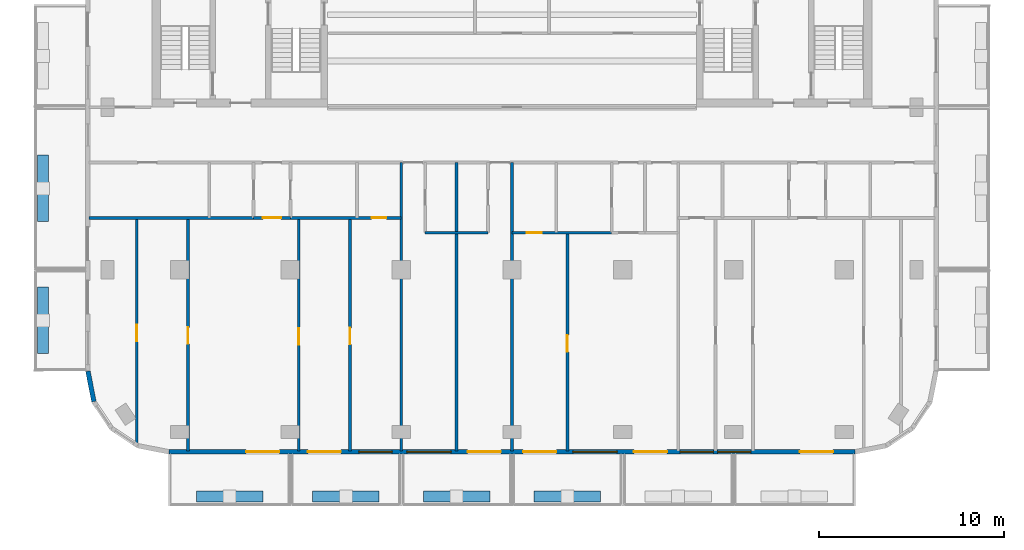
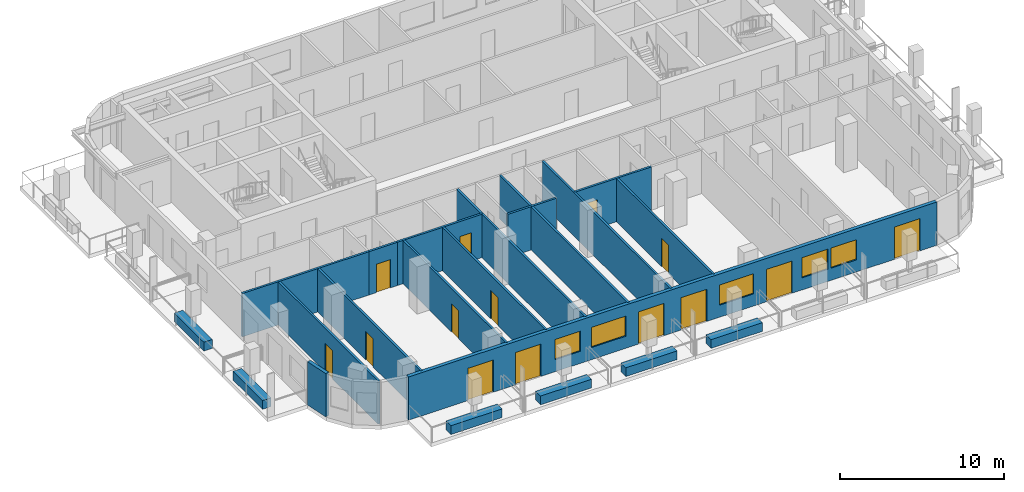
# One storey, part 2 of 11: 21 walls, 14 doors, 5 windows, 19 openings.
"""IFC4 building model written with IfcOpenShell, lengths in metres."""

from ifc_helpers import new_model, si_unit, direction, frame, frame_2d, origin, place, context, subcontext, project, spatial, rectangle, extrude, material, layer, layer_set, type_object, element, fill, save


model = new_model("IFC4")

# Units and contexts
model_context = context("Model", 3, precision=1e-05, world=origin(), true_north=direction((0.0, 1.0)))
body_context = subcontext(model_context, "Body", "Model", "MODEL_VIEW")
ifc_project = project(units=[si_unit("LENGTHUNIT", "METRE"), si_unit("AREAUNIT", "SQUARE_METRE"), si_unit("VOLUMEUNIT", "CUBIC_METRE"), si_unit("PLANEANGLEUNIT", "RADIAN"), si_unit("MASSUNIT", "GRAM", prefix="KILO")], contexts=[model_context])

# Site, building, storey
site_placement = place(None, origin())
site = spatial("IfcSite", under=ifc_project, at=site_placement, CompositionType="ELEMENT")
building_placement = place(site_placement, origin())
building = spatial("IfcBuilding", under=site, at=building_placement, Name="Torana Hotel and Residences", CompositionType="ELEMENT")
storey_placement = place(building_placement, frame((0.0, 0.0, 298.10009765625)))
storey = spatial("IfcBuildingStorey", under=building, at=storey_placement, Name="L79", CompositionType="ELEMENT", Elevation=298.10009765625)

# Wall
ifc_material_1 = material(Name="Black aluminium composite panel", Category="aluminium")
ifc_layer_1 = layer(ifc_material_1, 0.00390625, Name="Cladding", Category="cladding")
ifc_material_2 = material(Name="Ventilated air cavity")
ifc_layer_2 = layer(ifc_material_2, 0.0400390625, Name="Ventilated cavity", Category="cavity")
ifc_material_3 = material(Name="Mineral wool insulation")
ifc_layer_3 = layer(ifc_material_3, 0.090087890625, Name="Insulation", Category="insulation")
ifc_material_4 = material(Name="Steel S280GD", Category="steel")
ifc_layer_4 = layer(ifc_material_4, 0.092041015625, Name="Steel stud frame", Category="structure")
ifc_material_5 = material(Name="Fire rated plasterboard")
ifc_layer_5 = layer(ifc_material_5, 0.011962890625, Name="Inner board", Category="finish")
ifc_layer_6 = layer(ifc_material_5, 0.011962890625, Name="Second board", Category="finish")
ifc_layer_set_1 = layer_set([ifc_layer_1, ifc_layer_2, ifc_layer_3, ifc_layer_4, ifc_layer_5, ifc_layer_6], Name="EW1 EXTERNAL WALL BLACK METAL CLAD 250")
wall_type_1 = type_object("IfcWallType", Name="EW1 EXTERNAL WALL BLACK METAL CLAD 250", PredefinedType="SOLIDWALL", material=ifc_layer_set_1)
wall_1_placement = place(storey_placement, frame((-22.97265625, -29.2998046875, 0.0), z_axis=(0.0, 0.0, 1.0), x_axis=(0.19513878023, -0.980775640221, 0.0)))
element("IfcWall", 1, at=wall_1_placement, inside=storey, type_object=wall_type_1, Name="External wall L79 e0.10", PredefinedType="SOLIDWALL", context=body_context, shape_type="SweptSolid", body=[
    extrude(rectangle(XDim=1.681396484375, YDim=0.25, at=frame_2d((0.8408203125, 0.0))), origin(), (0.0, 0.0, 1.0), 3.219970703125),
])

# Wall, openings, doors, windows
wall_2_placement = place(storey_placement, frame((-18.575439453125, -33.675048828125, 0.0), z_axis=(0.0, 0.0, 1.0), x_axis=(1.0, 0.0, 0.0)))
wall_2 = element("IfcWall", 2, at=wall_2_placement, inside=storey, type_object=wall_type_1, Name="External wall L79 e0.14", PredefinedType="SOLIDWALL", context=body_context, shape_type="SweptSolid", body=[
    extrude(rectangle(XDim=37.15087890625, YDim=0.25, at=frame_2d((18.575439453125, 0.0))), origin(), (0.0, 0.0, 1.0), 3.219970703125),
])
opening_1_placement = place(wall_2_placement, frame((4.17529296875, 0.0, 0.0)))
opening_1 = element("IfcOpeningElement", 3, at=opening_1_placement, cuts=wall_2, Name="Opening L79-E01", PredefinedType="OPENING", context=body_context, shape_type="SweptSolid", body=[
    extrude(rectangle(XDim=1.800048828125, YDim=2.39990234375, at=frame_2d((0.89990234375, 1.199951171875))), frame((0.0, 0.135009765625, 0.0), z_axis=(0.0, -1.0, 0.0), x_axis=(1.0, 0.0, 0.0)), (0.0, 0.0, 1.0), 0.27001953125),
])
opening_2_placement = place(wall_2_placement, frame((7.512451171875, 0.0, 0.0)))
opening_2 = element("IfcOpeningElement", 4, at=opening_2_placement, cuts=wall_2, Name="Opening L79-E02", PredefinedType="OPENING", context=body_context, shape_type="SweptSolid", body=[
    extrude(rectangle(XDim=1.800048828125, YDim=2.39990234375, at=frame_2d((0.89990234375, 1.199951171875))), frame((0.0, 0.135009765625, 0.0), z_axis=(0.0, -1.0, 0.0), x_axis=(1.0, 0.0, 0.0)), (0.0, 0.0, 1.0), 0.27001953125),
])
opening_3_placement = place(wall_2_placement, frame((10.287353515625, 0.0, 0.89990234375)))
opening_3 = element("IfcOpeningElement", 5, at=opening_3_placement, cuts=wall_2, Name="Opening W4", PredefinedType="OPENING", context=body_context, shape_type="SweptSolid", body=[
    extrude(rectangle(XDim=1.800048828125, YDim=1.5, at=frame_2d((0.89990234375, 0.75))), frame((0.0, 0.135009765625, 0.0), z_axis=(0.0, -1.0, 0.0), x_axis=(1.0, 0.0, 0.0)), (0.0, 0.0, 1.0), 0.27001953125),
])
opening_4_placement = place(wall_2_placement, frame((12.87548828125, 0.0, 0.89990234375)))
opening_4 = element("IfcOpeningElement", 6, at=opening_4_placement, cuts=wall_2, Name="Opening W3", PredefinedType="OPENING", context=body_context, shape_type="SweptSolid", body=[
    extrude(rectangle(XDim=2.39990234375, YDim=1.5, at=frame_2d((1.199951171875, 0.75))), frame((0.0, 0.135009765625, 0.0), z_axis=(0.0, -1.0, 0.0), x_axis=(1.0, 0.0, 0.0)), (0.0, 0.0, 1.0), 0.27001953125),
])
opening_5_placement = place(wall_2_placement, frame((16.17529296875, 0.0, 0.0)))
opening_5 = element("IfcOpeningElement", 7, at=opening_5_placement, cuts=wall_2, Name="Opening L79-E03", PredefinedType="OPENING", context=body_context, shape_type="SweptSolid", body=[
    extrude(rectangle(XDim=1.800048828125, YDim=2.39990234375, at=frame_2d((0.89990234375, 1.199951171875))), frame((0.0, 0.135009765625, 0.0), z_axis=(0.0, -1.0, 0.0), x_axis=(1.0, 0.0, 0.0)), (0.0, 0.0, 1.0), 0.27001953125),
])
opening_6_placement = place(wall_2_placement, frame((19.17529296875, 0.0, 0.0)))
opening_6 = element("IfcOpeningElement", 8, at=opening_6_placement, cuts=wall_2, Name="Opening L79-E04", PredefinedType="OPENING", context=body_context, shape_type="SweptSolid", body=[
    extrude(rectangle(XDim=1.800048828125, YDim=2.39990234375, at=frame_2d((0.89990234375, 1.199951171875))), frame((0.0, 0.135009765625, 0.0), z_axis=(0.0, -1.0, 0.0), x_axis=(1.0, 0.0, 0.0)), (0.0, 0.0, 1.0), 0.27001953125),
])
opening_7_placement = place(wall_2_placement, frame((21.87548828125, 0.0, 0.89990234375)))
opening_7 = element("IfcOpeningElement", 9, at=opening_7_placement, cuts=wall_2, Name="Opening W3", PredefinedType="OPENING", context=body_context, shape_type="SweptSolid", body=[
    extrude(rectangle(XDim=2.39990234375, YDim=1.5, at=frame_2d((1.199951171875, 0.75))), frame((0.0, 0.135009765625, 0.0), z_axis=(0.0, -1.0, 0.0), x_axis=(1.0, 0.0, 0.0)), (0.0, 0.0, 1.0), 0.27001953125),
])
opening_8_placement = place(wall_2_placement, frame((25.17529296875, 0.0, 0.0)))
opening_8 = element("IfcOpeningElement", 10, at=opening_8_placement, cuts=wall_2, Name="Opening L79-E05", PredefinedType="OPENING", context=body_context, shape_type="SweptSolid", body=[
    extrude(rectangle(XDim=1.800048828125, YDim=2.39990234375, at=frame_2d((0.89990234375, 1.199951171875))), frame((0.0, 0.135009765625, 0.0), z_axis=(0.0, -1.0, 0.0), x_axis=(1.0, 0.0, 0.0)), (0.0, 0.0, 1.0), 0.27001953125),
])
opening_9_placement = place(wall_2_placement, frame((27.6875, 0.0, 0.89990234375)))
opening_9 = element("IfcOpeningElement", 11, at=opening_9_placement, cuts=wall_2, Name="Opening W4", PredefinedType="OPENING", context=body_context, shape_type="SweptSolid", body=[
    extrude(rectangle(XDim=1.800048828125, YDim=1.5, at=frame_2d((0.89990234375, 0.75))), frame((0.0, 0.135009765625, 0.0), z_axis=(0.0, -1.0, 0.0), x_axis=(1.0, 0.0, 0.0)), (0.0, 0.0, 1.0), 0.27001953125),
])
opening_10_placement = place(wall_2_placement, frame((29.71337890625, 0.0, 0.89990234375)))
opening_10 = element("IfcOpeningElement", 12, at=opening_10_placement, cuts=wall_2, Name="Opening W4", PredefinedType="OPENING", context=body_context, shape_type="SweptSolid", body=[
    extrude(rectangle(XDim=1.800048828125, YDim=1.5, at=frame_2d((0.89990234375, 0.75))), frame((0.0, 0.135009765625, 0.0), z_axis=(0.0, -1.0, 0.0), x_axis=(1.0, 0.0, 0.0)), (0.0, 0.0, 1.0), 0.27001953125),
])
opening_11_placement = place(wall_2_placement, frame((34.17529296875, 0.0, 0.0)))
opening_11 = element("IfcOpeningElement", 13, at=opening_11_placement, cuts=wall_2, Name="Opening L79-E06", PredefinedType="OPENING", context=body_context, shape_type="SweptSolid", body=[
    extrude(rectangle(XDim=1.800048828125, YDim=2.39990234375, at=frame_2d((0.89990234375, 1.199951171875))), frame((0.0, 0.135009765625, 0.0), z_axis=(0.0, -1.0, 0.0), x_axis=(1.0, 0.0, 0.0)), (0.0, 0.0, 1.0), 0.27001953125),
])
ifc_material_6 = material(Name="Dark glass in black aluminium frame", Category="aluminium")
door_type_1 = type_object("IfcDoorType", Name="DB1 BALCONY DOOR 1800x2400", OperationType="DOUBLE_DOOR_SINGLE_SWING", PredefinedType="DOOR", material=ifc_material_6)
door_1_placement = place(opening_1_placement, origin())
door_1 = element("IfcDoor", 14, at=door_1_placement, inside=storey, type_object=door_type_1, Name="Balcony door L79", OperationType="DOUBLE_DOOR_SINGLE_SWING", OverallHeight=2.39990234375, OverallWidth=1.800048828125, PredefinedType="DOOR", context=body_context, shape_type="SweptSolid", body=[
    extrude(rectangle(XDim=1.800048828125, YDim=2.39990234375, at=frame_2d((0.89990234375, 1.199951171875))), frame((0.0, 0.02490234375, 0.0), z_axis=(0.0, -1.0, 0.0), x_axis=(1.0, 0.0, 0.0)), (0.0, 0.0, 1.0), 0.050048828125),
])
fill(opening_1, door_1)
door_2_placement = place(opening_2_placement, origin())
door_2 = element("IfcDoor", 15, at=door_2_placement, inside=storey, type_object=door_type_1, Name="Balcony door L79", OperationType="DOUBLE_DOOR_SINGLE_SWING", OverallHeight=2.39990234375, OverallWidth=1.800048828125, PredefinedType="DOOR", context=body_context, shape_type="SweptSolid", body=[
    extrude(rectangle(XDim=1.800048828125, YDim=2.39990234375, at=frame_2d((0.89990234375, 1.199951171875))), frame((0.0, 0.02490234375, 0.0), z_axis=(0.0, -1.0, 0.0), x_axis=(1.0, 0.0, 0.0)), (0.0, 0.0, 1.0), 0.050048828125),
])
fill(opening_2, door_2)
door_3_placement = place(opening_5_placement, origin())
door_3 = element("IfcDoor", 16, at=door_3_placement, inside=storey, type_object=door_type_1, Name="Balcony door L79", OperationType="DOUBLE_DOOR_SINGLE_SWING", OverallHeight=2.39990234375, OverallWidth=1.800048828125, PredefinedType="DOOR", context=body_context, shape_type="SweptSolid", body=[
    extrude(rectangle(XDim=1.800048828125, YDim=2.39990234375, at=frame_2d((0.89990234375, 1.199951171875))), frame((0.0, 0.02490234375, 0.0), z_axis=(0.0, -1.0, 0.0), x_axis=(1.0, 0.0, 0.0)), (0.0, 0.0, 1.0), 0.050048828125),
])
fill(opening_5, door_3)
door_4_placement = place(opening_6_placement, origin())
door_4 = element("IfcDoor", 17, at=door_4_placement, inside=storey, type_object=door_type_1, Name="Balcony door L79", OperationType="DOUBLE_DOOR_SINGLE_SWING", OverallHeight=2.39990234375, OverallWidth=1.800048828125, PredefinedType="DOOR", context=body_context, shape_type="SweptSolid", body=[
    extrude(rectangle(XDim=1.800048828125, YDim=2.39990234375, at=frame_2d((0.89990234375, 1.199951171875))), frame((0.0, 0.02490234375, 0.0), z_axis=(0.0, -1.0, 0.0), x_axis=(1.0, 0.0, 0.0)), (0.0, 0.0, 1.0), 0.050048828125),
])
fill(opening_6, door_4)
door_5_placement = place(opening_8_placement, origin())
door_5 = element("IfcDoor", 18, at=door_5_placement, inside=storey, type_object=door_type_1, Name="Balcony door L79", OperationType="DOUBLE_DOOR_SINGLE_SWING", OverallHeight=2.39990234375, OverallWidth=1.800048828125, PredefinedType="DOOR", context=body_context, shape_type="SweptSolid", body=[
    extrude(rectangle(XDim=1.800048828125, YDim=2.39990234375, at=frame_2d((0.89990234375, 1.199951171875))), frame((0.0, 0.02490234375, 0.0), z_axis=(0.0, -1.0, 0.0), x_axis=(1.0, 0.0, 0.0)), (0.0, 0.0, 1.0), 0.050048828125),
])
fill(opening_8, door_5)
door_6_placement = place(opening_11_placement, origin())
door_6 = element("IfcDoor", 19, at=door_6_placement, inside=storey, type_object=door_type_1, Name="Balcony door L79", OperationType="DOUBLE_DOOR_SINGLE_SWING", OverallHeight=2.39990234375, OverallWidth=1.800048828125, PredefinedType="DOOR", context=body_context, shape_type="SweptSolid", body=[
    extrude(rectangle(XDim=1.800048828125, YDim=2.39990234375, at=frame_2d((0.89990234375, 1.199951171875))), frame((0.0, 0.02490234375, 0.0), z_axis=(0.0, -1.0, 0.0), x_axis=(1.0, 0.0, 0.0)), (0.0, 0.0, 1.0), 0.050048828125),
])
fill(opening_11, door_6)
ifc_material_7 = material(Name="Dark glass in black aluminium frame", Category="aluminium")
window_type_1 = type_object("IfcWindowType", Name="W3 RESIDENCE WINDOW 2400x1500", PartitioningType="SINGLE_PANEL", PredefinedType="WINDOW", material=ifc_material_7)
window_1_placement = place(opening_4_placement, origin())
window_1 = element("IfcWindow", 20, at=window_1_placement, inside=storey, type_object=window_type_1, Name="Window L79", OverallHeight=1.5, OverallWidth=2.39990234375, PartitioningType="SINGLE_PANEL", PredefinedType="WINDOW", context=body_context, shape_type="SweptSolid", body=[
    extrude(rectangle(XDim=2.39990234375, YDim=1.5, at=frame_2d((1.199951171875, 0.75))), frame((0.0, 0.030029296875, 0.0), z_axis=(0.0, -1.0, 0.0), x_axis=(1.0, 0.0, 0.0)), (0.0, 0.0, 1.0), 0.06005859375),
])
fill(opening_4, window_1)
window_2_placement = place(opening_7_placement, origin())
window_2 = element("IfcWindow", 21, at=window_2_placement, inside=storey, type_object=window_type_1, Name="Window L79", OverallHeight=1.5, OverallWidth=2.39990234375, PartitioningType="SINGLE_PANEL", PredefinedType="WINDOW", context=body_context, shape_type="SweptSolid", body=[
    extrude(rectangle(XDim=2.39990234375, YDim=1.5, at=frame_2d((1.199951171875, 0.75))), frame((0.0, 0.030029296875, 0.0), z_axis=(0.0, -1.0, 0.0), x_axis=(1.0, 0.0, 0.0)), (0.0, 0.0, 1.0), 0.06005859375),
])
fill(opening_7, window_2)
ifc_material_8 = material(Name="Dark glass in black aluminium frame", Category="aluminium")
window_type_2 = type_object("IfcWindowType", Name="W4 RESIDENCE WINDOW NARROW 1800x1500", PartitioningType="SINGLE_PANEL", PredefinedType="WINDOW", material=ifc_material_8)
window_3_placement = place(opening_3_placement, origin())
window_3 = element("IfcWindow", 22, at=window_3_placement, inside=storey, type_object=window_type_2, Name="Window L79", OverallHeight=1.5, OverallWidth=1.800048828125, PartitioningType="SINGLE_PANEL", PredefinedType="WINDOW", context=body_context, shape_type="SweptSolid", body=[
    extrude(rectangle(XDim=1.800048828125, YDim=1.5, at=frame_2d((0.89990234375, 0.75))), frame((0.0, 0.030029296875, 0.0), z_axis=(0.0, -1.0, 0.0), x_axis=(1.0, 0.0, 0.0)), (0.0, 0.0, 1.0), 0.06005859375),
])
fill(opening_3, window_3)
window_4_placement = place(opening_9_placement, origin())
window_4 = element("IfcWindow", 23, at=window_4_placement, inside=storey, type_object=window_type_2, Name="Window L79", OverallHeight=1.5, OverallWidth=1.800048828125, PartitioningType="SINGLE_PANEL", PredefinedType="WINDOW", context=body_context, shape_type="SweptSolid", body=[
    extrude(rectangle(XDim=1.800048828125, YDim=1.5, at=frame_2d((0.89990234375, 0.75))), frame((0.0, 0.030029296875, 0.0), z_axis=(0.0, -1.0, 0.0), x_axis=(1.0, 0.0, 0.0)), (0.0, 0.0, 1.0), 0.06005859375),
])
fill(opening_9, window_4)
window_5_placement = place(opening_10_placement, origin())
window_5 = element("IfcWindow", 24, at=window_5_placement, inside=storey, type_object=window_type_2, Name="Window L79", OverallHeight=1.5, OverallWidth=1.800048828125, PartitioningType="SINGLE_PANEL", PredefinedType="WINDOW", context=body_context, shape_type="SweptSolid", body=[
    extrude(rectangle(XDim=1.800048828125, YDim=1.5, at=frame_2d((0.89990234375, 0.75))), frame((0.0, 0.030029296875, 0.0), z_axis=(0.0, -1.0, 0.0), x_axis=(1.0, 0.0, 0.0)), (0.0, 0.0, 1.0), 0.06005859375),
])
fill(opening_10, window_5)

# Wall, opening, door
ifc_material_9 = material(Name="Gypsum plaster")
ifc_layer_7 = layer(ifc_material_9, 0.014892578125, Name="Plaster", Category="finish")
ifc_material_10 = material(Name="Concrete blockwork", Category="masonry")
ifc_layer_8 = layer(ifc_material_10, 0.1201171875, Name="Blockwork", Category="structure")
ifc_layer_9 = layer(ifc_material_9, 0.014892578125, Name="Plaster", Category="finish")
ifc_layer_set_2 = layer_set([ifc_layer_7, ifc_layer_8, ifc_layer_9], Name="FIRE PARTITION 150 BLOCKWORK")
wall_type_2 = type_object("IfcWallType", Name="FIRE PARTITION 150 BLOCKWORK", PredefinedType="PARTITIONING", material=ifc_layer_set_2)
wall_3_placement = place(storey_placement, frame((-14.0, -21.0, 0.0), z_axis=(0.0, 0.0, 1.0), x_axis=(1.0, 0.0, 0.0)))
wall_3 = element("IfcWall", 25, at=wall_3_placement, inside=storey, type_object=wall_type_2, Name="Partition L79", PredefinedType="PARTITIONING", context=body_context, shape_type="SweptSolid", body=[
    extrude(rectangle(XDim=2.0, YDim=0.14990234375, at=frame_2d((1.0, 0.0))), origin(), (0.0, 0.0, 1.0), 3.219970703125),
])
opening_12_placement = place(wall_3_placement, frame((0.5, 0.0, 0.0)))
opening_12 = element("IfcOpeningElement", 26, at=opening_12_placement, cuts=wall_3, Name="Opening L79-47", PredefinedType="OPENING", context=body_context, shape_type="SweptSolid", body=[
    extrude(rectangle(XDim=1.0, YDim=2.10009765625, at=frame_2d((0.5, 1.050048828125))), frame((0.0, 0.0849609375, 0.0), z_axis=(0.0, -1.0, 0.0), x_axis=(1.0, 0.0, 0.0)), (0.0, 0.0, 1.0), 0.169921875),
])
ifc_material_11 = material(Name="Steel S235", Category="steel")
door_type_2 = type_object("IfcDoorType", Name="ENTRY FIRE DOOR D6 1000x2100", OperationType="SINGLE_SWING_LEFT", PredefinedType="DOOR", material=ifc_material_11)
door_7_placement = place(opening_12_placement, frame((0.5, 0.0, 0.0), z_axis=(0.0, 0.0, 1.0), x_axis=(-1.0, 0.0, 0.0)))
door_7 = element("IfcDoor", 27, at=door_7_placement, inside=storey, type_object=door_type_2, Name="Door L79", OperationType="SINGLE_SWING_RIGHT", OverallHeight=2.10009765625, OverallWidth=1.0, PredefinedType="DOOR", context=body_context, shape_type="SweptSolid", body=[
    extrude(rectangle(XDim=1.0, YDim=2.10009765625, at=frame_2d((0.0, 1.050048828125))), frame((0.0, -0.02490234375, 0.0), z_axis=(0.0, 1.0, 0.0), x_axis=(-1.0, 0.0, 0.0)), (0.0, 0.0, 1.0), 0.050048828125),
])
fill(opening_12, door_7)

ifc_material_12 = material(Name="Gypsum plasterboard")
ifc_layer_10 = layer(ifc_material_12, 0.012451171875, Name="Plasterboard", Category="finish")
ifc_layer_11 = layer(ifc_material_12, 0.012451171875, Name="Plasterboard", Category="finish")
ifc_layer_12 = layer(ifc_material_4, 0.10009765625, Name="Steel studs with mineral wool", Category="insulation")
ifc_layer_13 = layer(ifc_material_12, 0.012451171875, Name="Plasterboard", Category="finish")
ifc_layer_14 = layer(ifc_material_12, 0.012451171875, Name="Plasterboard", Category="finish")
ifc_layer_set_3 = layer_set([ifc_layer_10, ifc_layer_11, ifc_layer_12, ifc_layer_13, ifc_layer_14], Name="PARTITION 150 PLASTERBOARD")
wall_type_3 = type_object("IfcWallType", Name="PARTITION 150 PLASTERBOARD", PredefinedType="PARTITIONING", material=ifc_layer_set_3)
wall_4_placement = place(storey_placement, frame((3.0, -33.6201171875, 0.0), z_axis=(0.0, 0.0, 1.0), x_axis=(0.0, 1.0, 0.0)))
wall_4 = element("IfcWall", 28, at=wall_4_placement, inside=storey, type_object=wall_type_3, Name="Partition L79", PredefinedType="PARTITIONING", context=body_context, shape_type="SweptSolid", body=[
    extrude(rectangle(XDim=11.820068359375, YDim=0.14990234375, at=frame_2d((5.91015625, 0.0))), origin(), (0.0, 0.0, 1.0), 3.219970703125),
])
opening_13_placement = place(wall_4_placement, frame((5.3701171875, 0.0, 0.0)))
opening_13 = element("IfcOpeningElement", 29, at=opening_13_placement, cuts=wall_4, Name="Opening L79-43", PredefinedType="OPENING", context=body_context, shape_type="SweptSolid", body=[
    extrude(rectangle(XDim=0.89990234375, YDim=2.10009765625, at=frame_2d((0.449951171875, 1.050048828125))), frame((0.0, 0.0849609375, 0.0), z_axis=(0.0, -1.0, 0.0), x_axis=(1.0, 0.0, 0.0)), (0.0, 0.0, 1.0), 0.169921875),
])
ifc_material_13 = material(Name="Timber door, oiled ash", Category="wood")
door_type_3 = type_object("IfcDoorType", Name="ROOM DOOR D7 900x2100", OperationType="SINGLE_SWING_LEFT", PredefinedType="DOOR", material=ifc_material_13)
door_8_placement = place(opening_13_placement, origin())
door_8 = element("IfcDoor", 30, at=door_8_placement, inside=storey, type_object=door_type_3, Name="Door L79", OperationType="SINGLE_SWING_RIGHT", OverallHeight=2.10009765625, OverallWidth=0.89990234375, PredefinedType="DOOR", context=body_context, shape_type="SweptSolid", body=[
    extrude(rectangle(XDim=0.89990234375, YDim=2.10009765625, at=frame_2d((0.449951171875, 1.050048828125))), frame((0.0, 0.02490234375, 0.0), z_axis=(0.0, -1.0, 0.0), x_axis=(1.0, 0.0, 0.0)), (0.0, 0.0, 1.0), 0.050048828125),
])
fill(opening_13, door_8)

# Walls
for number, where, z_axis, x_axis, name in (
    (31, (0.0, -33.6201171875, 0.0), (0.0, 0.0, 1.0), (0.0, 1.0, 0.0), "Partition L79"),
    (32, (-3.0, -33.6201171875, 0.0), (0.0, 0.0, 1.0), (0.0, 1.0, 0.0), "Partition L79"),
    (33, (-6.0, -33.6201171875, 0.0), (0.0, 0.0, 1.0), (0.0, 1.0, 0.0), "Partition L79"),
):
    element("IfcWall", number, at=place(storey_placement, frame(where, z_axis=z_axis, x_axis=x_axis)), inside=storey, type_object=wall_type_3, Name=name, PredefinedType="PARTITIONING", context=body_context, shape_type="SweptSolid", body=[
        extrude(rectangle(XDim=15.6201171875, YDim=0.14990234375, at=frame_2d((7.81005859375, 0.0))), origin(), (0.0, 0.0, 1.0), 3.219970703125),
    ])

# Wall, opening, door
wall_5_placement = place(storey_placement, frame((-8.77490234375, -33.6201171875, 0.0), z_axis=(0.0, 0.0, 1.0), x_axis=(0.0, 1.0, 0.0)))
wall_5 = element("IfcWall", 34, at=wall_5_placement, inside=storey, type_object=wall_type_3, Name="Partition L79", PredefinedType="PARTITIONING", context=body_context, shape_type="SweptSolid", body=[
    extrude(rectangle(XDim=12.6201171875, YDim=0.14990234375, at=frame_2d((6.31005859375, 0.0))), origin(), (0.0, 0.0, 1.0), 3.219970703125),
])
opening_14_placement = place(wall_5_placement, frame((5.77001953125, 0.0, 0.0)))
opening_14 = element("IfcOpeningElement", 35, at=opening_14_placement, cuts=wall_5, Name="Opening L79-50", PredefinedType="OPENING", context=body_context, shape_type="SweptSolid", body=[
    extrude(rectangle(XDim=0.89990234375, YDim=2.10009765625, at=frame_2d((0.449951171875, 1.050048828125))), frame((0.0, 0.0849609375, 0.0), z_axis=(0.0, -1.0, 0.0), x_axis=(1.0, 0.0, 0.0)), (0.0, 0.0, 1.0), 0.169921875),
])
door_9_placement = place(opening_14_placement, origin())
door_9 = element("IfcDoor", 36, at=door_9_placement, inside=storey, type_object=door_type_3, Name="Door L79", OperationType="SINGLE_SWING_RIGHT", OverallHeight=2.10009765625, OverallWidth=0.89990234375, PredefinedType="DOOR", context=body_context, shape_type="SweptSolid", body=[
    extrude(rectangle(XDim=0.89990234375, YDim=2.10009765625, at=frame_2d((0.449951171875, 1.050048828125))), frame((0.0, 0.02490234375, 0.0), z_axis=(0.0, -1.0, 0.0), x_axis=(1.0, 0.0, 0.0)), (0.0, 0.0, 1.0), 0.050048828125),
])
fill(opening_14, door_9)

wall_6_placement = place(storey_placement, frame((-11.550048828125, -33.6201171875, 0.0), z_axis=(0.0, 0.0, 1.0), x_axis=(0.0, 1.0, 0.0)))
wall_6 = element("IfcWall", 37, at=wall_6_placement, inside=storey, type_object=wall_type_3, Name="Partition L79", PredefinedType="PARTITIONING", context=body_context, shape_type="SweptSolid", body=[
    extrude(rectangle(XDim=12.6201171875, YDim=0.14990234375, at=frame_2d((6.31005859375, 0.0))), origin(), (0.0, 0.0, 1.0), 3.219970703125),
])
opening_15_placement = place(wall_6_placement, frame((5.75, 0.0, 0.0)))
opening_15 = element("IfcOpeningElement", 38, at=opening_15_placement, cuts=wall_6, Name="Opening L79-48", PredefinedType="OPENING", context=body_context, shape_type="SweptSolid", body=[
    extrude(rectangle(XDim=0.89990234375, YDim=2.10009765625, at=frame_2d((0.449951171875, 1.050048828125))), frame((0.0, 0.0849609375, 0.0), z_axis=(0.0, -1.0, 0.0), x_axis=(1.0, 0.0, 0.0)), (0.0, 0.0, 1.0), 0.169921875),
])
door_10_placement = place(opening_15_placement, origin())
door_10 = element("IfcDoor", 39, at=door_10_placement, inside=storey, type_object=door_type_3, Name="Door L79", OperationType="SINGLE_SWING_RIGHT", OverallHeight=2.10009765625, OverallWidth=0.89990234375, PredefinedType="DOOR", context=body_context, shape_type="SweptSolid", body=[
    extrude(rectangle(XDim=0.89990234375, YDim=2.10009765625, at=frame_2d((0.449951171875, 1.050048828125))), frame((0.0, 0.02490234375, 0.0), z_axis=(0.0, -1.0, 0.0), x_axis=(1.0, 0.0, 0.0)), (0.0, 0.0, 1.0), 0.050048828125),
])
fill(opening_15, door_10)

wall_7_placement = place(storey_placement, frame((-17.550048828125, -33.6201171875, 0.0), z_axis=(0.0, 0.0, 1.0), x_axis=(0.0, 1.0, 0.0)))
wall_7 = element("IfcWall", 40, at=wall_7_placement, inside=storey, type_object=wall_type_3, Name="Partition L79", PredefinedType="PARTITIONING", context=body_context, shape_type="SweptSolid", body=[
    extrude(rectangle(XDim=12.6201171875, YDim=0.14990234375, at=frame_2d((6.31005859375, 0.0))), origin(), (0.0, 0.0, 1.0), 3.219970703125),
])
opening_16_placement = place(wall_7_placement, frame((5.7900390625, 0.0, 0.0)))
opening_16 = element("IfcOpeningElement", 41, at=opening_16_placement, cuts=wall_7, Name="Opening L79-49", PredefinedType="OPENING", context=body_context, shape_type="SweptSolid", body=[
    extrude(rectangle(XDim=0.89990234375, YDim=2.10009765625, at=frame_2d((0.449951171875, 1.050048828125))), frame((0.0, 0.0849609375, 0.0), z_axis=(0.0, -1.0, 0.0), x_axis=(1.0, 0.0, 0.0)), (0.0, 0.0, 1.0), 0.169921875),
])
door_11_placement = place(opening_16_placement, origin())
door_11 = element("IfcDoor", 42, at=door_11_placement, inside=storey, type_object=door_type_3, Name="Door L79", OperationType="SINGLE_SWING_RIGHT", OverallHeight=2.10009765625, OverallWidth=0.89990234375, PredefinedType="DOOR", context=body_context, shape_type="SweptSolid", body=[
    extrude(rectangle(XDim=0.89990234375, YDim=2.10009765625, at=frame_2d((0.449951171875, 1.050048828125))), frame((0.0, 0.02490234375, 0.0), z_axis=(0.0, -1.0, 0.0), x_axis=(1.0, 0.0, 0.0)), (0.0, 0.0, 1.0), 0.050048828125),
])
fill(opening_16, door_11)

wall_8_placement = place(storey_placement, frame((-20.324951171875, -33.239013671875, 0.0), z_axis=(0.0, 0.0, 1.0), x_axis=(0.0, 1.0, 0.0)))
wall_8 = element("IfcWall", 43, at=wall_8_placement, inside=storey, type_object=wall_type_3, Name="Partition L79", PredefinedType="PARTITIONING", context=body_context, shape_type="SweptSolid", body=[
    extrude(rectangle(XDim=12.239013671875, YDim=0.14990234375, at=frame_2d((6.11962890625, 0.0))), origin(), (0.0, 0.0, 1.0), 3.219970703125),
])
opening_17_placement = place(wall_8_placement, frame((5.552978515625, 0.0, 0.0)))
opening_17 = element("IfcOpeningElement", 44, at=opening_17_placement, cuts=wall_8, Name="Opening L79-51", PredefinedType="OPENING", context=body_context, shape_type="SweptSolid", body=[
    extrude(rectangle(XDim=0.89990234375, YDim=2.10009765625, at=frame_2d((0.449951171875, 1.050048828125))), frame((0.0, 0.0849609375, 0.0), z_axis=(0.0, -1.0, 0.0), x_axis=(1.0, 0.0, 0.0)), (0.0, 0.0, 1.0), 0.169921875),
])
door_12_placement = place(opening_17_placement, origin())
door_12 = element("IfcDoor", 45, at=door_12_placement, inside=storey, type_object=door_type_3, Name="Door L79", OperationType="SINGLE_SWING_RIGHT", OverallHeight=2.10009765625, OverallWidth=0.89990234375, PredefinedType="DOOR", context=body_context, shape_type="SweptSolid", body=[
    extrude(rectangle(XDim=0.89990234375, YDim=2.10009765625, at=frame_2d((0.449951171875, 1.050048828125))), frame((0.0, 0.02490234375, 0.0), z_axis=(0.0, -1.0, 0.0), x_axis=(1.0, 0.0, 0.0)), (0.0, 0.0, 1.0), 0.050048828125),
])
fill(opening_17, door_12)

# Wall
wall_9_placement = place(storey_placement, frame((-4.699951171875, -21.800048828125, 0.0), z_axis=(0.0, 0.0, 1.0), x_axis=(1.0, 0.0, 0.0)))
element("IfcWall", 46, at=wall_9_placement, inside=storey, type_object=wall_type_3, Name="Partition L79", PredefinedType="PARTITIONING", context=body_context, shape_type="SweptSolid", body=[
    extrude(rectangle(XDim=3.39990234375, YDim=0.14990234375, at=frame_2d((1.699951171875, 0.0))), origin(), (0.0, 0.0, 1.0), 3.219970703125),
])

# Wall, opening, door
wall_10_placement = place(storey_placement, frame((0.0, -21.800048828125, 0.0), z_axis=(0.0, 0.0, 1.0), x_axis=(1.0, 0.0, 0.0)))
wall_10 = element("IfcWall", 47, at=wall_10_placement, inside=storey, type_object=wall_type_3, Name="Partition L79", PredefinedType="PARTITIONING", context=body_context, shape_type="SweptSolid", body=[
    extrude(rectangle(XDim=5.39990234375, YDim=0.14990234375, at=frame_2d((2.699951171875, 0.0))), origin(), (0.0, 0.0, 1.0), 3.219970703125),
])
opening_18_placement = place(wall_10_placement, frame((0.800048828125, 0.0, 0.0)))
opening_18 = element("IfcOpeningElement", 48, at=opening_18_placement, cuts=wall_10, Name="Opening L79-40", PredefinedType="OPENING", context=body_context, shape_type="SweptSolid", body=[
    extrude(rectangle(XDim=0.800048828125, YDim=2.10009765625, at=frame_2d((0.39990234375, 1.050048828125))), frame((0.0, 0.0849609375, 0.0), z_axis=(0.0, -1.0, 0.0), x_axis=(1.0, 0.0, 0.0)), (0.0, 0.0, 1.0), 0.169921875),
])
ifc_material_14 = material(Name="Timber door, painted", Category="wood")
door_type_4 = type_object("IfcDoorType", Name="BATH DOOR D13 800x2100", OperationType="SINGLE_SWING_LEFT", PredefinedType="DOOR", material=ifc_material_14)
door_13_placement = place(opening_18_placement, origin())
door_13 = element("IfcDoor", 49, at=door_13_placement, inside=storey, type_object=door_type_4, Name="Door L79", OperationType="SINGLE_SWING_RIGHT", OverallHeight=2.10009765625, OverallWidth=0.800048828125, PredefinedType="DOOR", context=body_context, shape_type="SweptSolid", body=[
    extrude(rectangle(XDim=0.800048828125, YDim=2.10009765625, at=frame_2d((0.39990234375, 1.050048828125))), frame((0.0, 0.02490234375, 0.0), z_axis=(0.0, -1.0, 0.0), x_axis=(1.0, 0.0, 0.0)), (0.0, 0.0, 1.0), 0.050048828125),
])
fill(opening_18, door_13)

# Wall
wall_11_placement = place(storey_placement, frame((-22.919921875, -21.0, 0.0), z_axis=(0.0, 0.0, 1.0), x_axis=(1.0, 0.0, 0.0)))
element("IfcWall", 50, at=wall_11_placement, inside=storey, type_object=wall_type_3, Name="Partition L79", PredefinedType="PARTITIONING", context=body_context, shape_type="SweptSolid", body=[
    extrude(rectangle(XDim=8.919921875, YDim=0.14990234375, at=frame_2d((4.4599609375, 0.0))), origin(), (0.0, 0.0, 1.0), 3.219970703125),
])

# Wall, opening, door
wall_12_placement = place(storey_placement, frame((-12.0, -21.0, 0.0), z_axis=(0.0, 0.0, 1.0), x_axis=(1.0, 0.0, 0.0)))
wall_12 = element("IfcWall", 51, at=wall_12_placement, inside=storey, type_object=wall_type_3, Name="Partition L79", PredefinedType="PARTITIONING", context=body_context, shape_type="SweptSolid", body=[
    extrude(rectangle(XDim=6.0, YDim=0.14990234375, at=frame_2d((3.0, 0.0))), origin(), (0.0, 0.0, 1.0), 3.219970703125),
])
opening_19_placement = place(wall_12_placement, frame((4.39990234375, 0.0, 0.0)))
opening_19 = element("IfcOpeningElement", 52, at=opening_19_placement, cuts=wall_12, Name="Opening L79-44", PredefinedType="OPENING", context=body_context, shape_type="SweptSolid", body=[
    extrude(rectangle(XDim=0.800048828125, YDim=2.10009765625, at=frame_2d((0.39990234375, 1.050048828125))), frame((0.0, 0.0849609375, 0.0), z_axis=(0.0, -1.0, 0.0), x_axis=(1.0, 0.0, 0.0)), (0.0, 0.0, 1.0), 0.169921875),
])
door_14_placement = place(opening_19_placement, origin())
door_14 = element("IfcDoor", 53, at=door_14_placement, inside=storey, type_object=door_type_4, Name="Door L79", OperationType="SINGLE_SWING_RIGHT", OverallHeight=2.10009765625, OverallWidth=0.800048828125, PredefinedType="DOOR", context=body_context, shape_type="SweptSolid", body=[
    extrude(rectangle(XDim=0.800048828125, YDim=2.10009765625, at=frame_2d((0.39990234375, 1.050048828125))), frame((0.0, 0.02490234375, 0.0), z_axis=(0.0, -1.0, 0.0), x_axis=(1.0, 0.0, 0.0)), (0.0, 0.0, 1.0), 0.050048828125),
])
fill(opening_19, door_14)

# Walls
ifc_material_15 = material(Name="Concrete C40/50 precast", Category="concrete")
ifc_layer_15 = layer(ifc_material_15, 0.10009765625, Name="Planter shell", Category="structure")
ifc_material_16 = material(Name="Root resistant membrane")
ifc_layer_16 = layer(ifc_material_16, 0.00390625, Name="Waterproofing membrane", Category="membrane")
ifc_material_17 = material(Name="Drainage board with filter fleece")
ifc_layer_17 = layer(ifc_material_17, 0.02001953125, Name="Drainage board", Category="drainage")
ifc_material_18 = material(Name="Growing medium")
ifc_layer_18 = layer(ifc_material_18, 0.47607421875, Name="Planting substrate", Category="soil")
ifc_layer_set_4 = layer_set([ifc_layer_15, ifc_layer_16, ifc_layer_17, ifc_layer_18], Name="PL1 BALCONY PLANTER 600")
wall_type_4 = type_object("IfcWallType", Name="PL1 BALCONY PLANTER 600", PredefinedType="USERDEFINED", material=ifc_layer_set_4)
for number, where, z_axis, x_axis, name in (
    (54, (-13.5, -36.10009765625, 0.0), (0.0, 0.0, 1.0), (-1.0, 0.0, 0.0), "Planter 01"),
    (55, (-7.199951171875, -36.10009765625, 0.0), (0.0, 0.0, 1.0), (-1.0, 0.0, 0.0), "Planter 02"),
    (56, (-1.199951171875, -36.10009765625, 0.0), (0.0, 0.0, 1.0), (-1.0, 0.0, 0.0), "Planter 03"),
    (57, (4.800048828125, -36.10009765625, 0.0), (0.0, 0.0, 1.0), (-1.0, 0.0, 0.0), "Planter 04"),
    (58, (-25.39990234375, -28.35009765625, 0.0), (0.0, 0.0, 1.0), (0.0, 1.0, 0.0), "Planter 07"),
):
    element("IfcWall", number, at=place(storey_placement, frame(where, z_axis=z_axis, x_axis=x_axis)), inside=storey, type_object=wall_type_4, Name=name, ObjectType="PLANTER", PredefinedType="USERDEFINED", context=body_context, shape_type="SweptSolid", body=[
        extrude(rectangle(XDim=3.60009765625, YDim=0.60009765625, at=frame_2d((1.800048828125, 0.0))), origin(), (0.0, 0.0, 1.0), 0.64990234375),
    ])
wall_13_placement = place(storey_placement, frame((-25.39990234375, -21.199951171875, 0.0), z_axis=(0.0, 0.0, 1.0), x_axis=(0.0, 1.0, 0.0)))
element("IfcWall", 59, at=wall_13_placement, inside=storey, type_object=wall_type_4, Name="Planter 08", ObjectType="PLANTER", PredefinedType="USERDEFINED", context=body_context, shape_type="SweptSolid", body=[
    extrude(rectangle(XDim=3.599853515625, YDim=0.60009765625, at=frame_2d((1.7998046875, 0.0))), origin(), (0.0, 0.0, 1.0), 0.64990234375),
])

save(model, "model.ifc")
